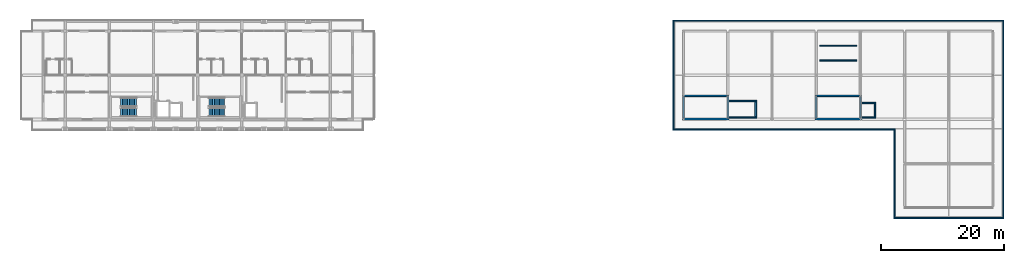
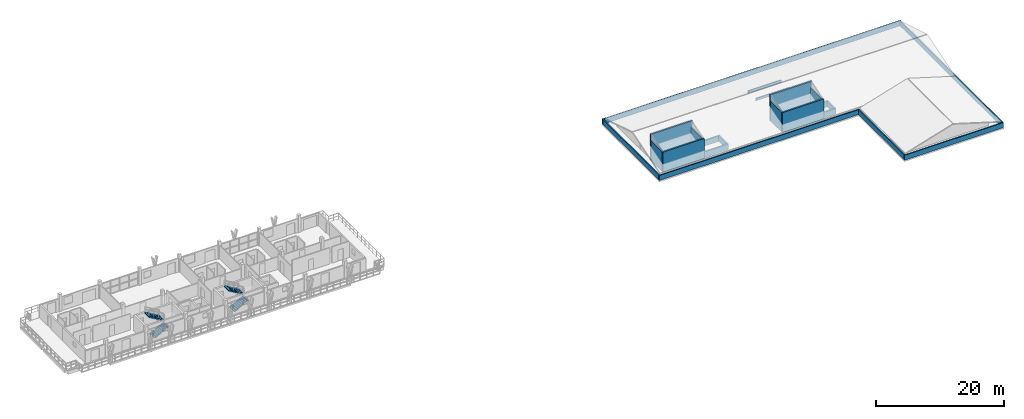
# One storey, part 16 of 19: 22 walls, 4 stair flights, 2 elements without a shape of their own.
"""IFC4 building model written with IfcOpenShell, lengths in metres."""

from ifc_helpers import new_model, si_unit, direction, frame, frame_2d, origin, place, context, subcontext, project, spatial, polyline, rectangle, outline, extrude, material, layer, layer_set, type_object, element, aggregate, save


model = new_model("IFC4")

# Units and contexts
model_context = context("Model", 3, precision=1e-05, world=origin(), true_north=direction((0.0, 1.0)))
body_context = subcontext(model_context, "Body", "Model", "MODEL_VIEW")
ifc_project = project(units=[si_unit("LENGTHUNIT", "METRE"), si_unit("AREAUNIT", "SQUARE_METRE"), si_unit("VOLUMEUNIT", "CUBIC_METRE"), si_unit("PLANEANGLEUNIT", "RADIAN"), si_unit("MASSUNIT", "GRAM", prefix="KILO")], contexts=[model_context])

# Site, building, storey
site_placement = place(None, origin())
site = spatial("IfcSite", under=ifc_project, at=site_placement, CompositionType="ELEMENT")
building_placement = place(site_placement, origin())
building = spatial("IfcBuilding", under=site, at=building_placement, Name="Suanplinth Sawtooth Commons", CompositionType="ELEMENT")
storey_placement = place(building_placement, frame((0.0, 0.0, 44.39990234375)))
storey = spatial("IfcBuildingStorey", under=building, at=storey_placement, Name="L13", CompositionType="ELEMENT", Elevation=44.39990234375)

# Walls
ifc_material_1 = material(Name="Precast concrete C40/50", Category="concrete")
ifc_layer_1 = layer(ifc_material_1, 0.199951171875, Name="Roof perimeter precast parapet wall 200mm")
ifc_layer_set_1 = layer_set([ifc_layer_1], Name="Precast concrete C40/50")
wall_type_1 = type_object("IfcWallType", Name="W-PR01", PredefinedType="PARAPET", material=ifc_layer_set_1)
wall_1_placement = place(storey_placement, frame((171.239990234375, 106.340087890625, 0.0), z_axis=(0.0, 0.0, 1.0), x_axis=(-1.0, 0.0, 0.0)))
element("IfcWall", 1, at=wall_1_placement, inside=storey, type_object=wall_type_1, Name="L13 Block B Overhanging Roof Edge Parapet 1", PredefinedType="PARAPET", context=body_context, shape_type="SweptSolid", body=[
    extrude(rectangle(XDim=36.199951171875, YDim=0.199951171875, at=frame_2d((18.10009765625, 0.0))), origin(), (0.0, 0.0, 1.0), 0.9501953125),
])
wall_2_placement = place(storey_placement, frame((135.139892578125, 106.43994140625, 0.0), z_axis=(0.0, 0.0, 1.0), x_axis=(0.0, 1.0, 0.0)))
element("IfcWall", 2, at=wall_2_placement, inside=storey, type_object=wall_type_1, Name="L13 Block B Overhanging Roof Edge Parapet 2", PredefinedType="PARAPET", context=body_context, shape_type="SweptSolid", body=[
    extrude(rectangle(XDim=17.52001953125, YDim=0.199951171875, at=frame_2d((8.760009765625, 0.0))), origin(), (0.0, 0.0, 1.0), 0.9501953125),
])
wall_3_placement = place(storey_placement, frame((135.0400390625, 124.06005859375, 0.0), z_axis=(0.0, 0.0, 1.0), x_axis=(1.0, 0.0, 0.0)))
element("IfcWall", 3, at=wall_3_placement, inside=storey, type_object=wall_type_1, Name="L13 Block B Overhanging Roof Edge Parapet 3", PredefinedType="PARAPET", context=body_context, shape_type="SweptSolid", body=[
    extrude(rectangle(XDim=53.919921875, YDim=0.199951171875, at=frame_2d((26.9599609375, 0.0))), origin(), (0.0, 0.0, 1.0), 0.9501953125),
])
wall_4_placement = place(storey_placement, frame((188.860107421875, 123.9599609375, 0.0), z_axis=(0.0, 0.0, 1.0), x_axis=(0.0, -1.0, 0.0)))
element("IfcWall", 4, at=wall_4_placement, inside=storey, type_object=wall_type_1, Name="L13 Block B Overhanging Roof Edge Parapet 4", PredefinedType="PARAPET", context=body_context, shape_type="SweptSolid", body=[
    extrude(rectangle(XDim=31.919921875, YDim=0.199951171875, at=frame_2d((15.9599609375, 0.0))), origin(), (0.0, 0.0, 1.0), 0.9501953125),
])
wall_5_placement = place(storey_placement, frame((188.9599609375, 91.93994140625, 0.0), z_axis=(0.0, 0.0, 1.0), x_axis=(-1.0, 0.0, 0.0)))
element("IfcWall", 5, at=wall_5_placement, inside=storey, type_object=wall_type_1, Name="L13 Block B Overhanging Roof Edge Parapet 5", PredefinedType="PARAPET", context=body_context, shape_type="SweptSolid", body=[
    extrude(rectangle(XDim=17.919921875, YDim=0.199951171875, at=frame_2d((8.9599609375, 0.0))), origin(), (0.0, 0.0, 1.0), 0.9501953125),
])
wall_6_placement = place(storey_placement, frame((171.139892578125, 92.0400390625, 0.0), z_axis=(0.0, 0.0, 1.0), x_axis=(0.0, 1.0, 0.0)))
element("IfcWall", 6, at=wall_6_placement, inside=storey, type_object=wall_type_1, Name="L13 Block B Overhanging Roof Edge Parapet 6", PredefinedType="PARAPET", context=body_context, shape_type="SweptSolid", body=[
    extrude(rectangle(XDim=14.199951171875, YDim=0.199951171875, at=frame_2d((7.10009765625, 0.0))), origin(), (0.0, 0.0, 1.0), 0.9501953125),
])
for number, where, z_axis, x_axis, name in (
    (7, (159.0, 117.60009765625, 0.0), (0.0, 0.0, 1.0), (1.0, 0.0, 0.0), "L13 Block B Roof Solar Upstand Kerb 1"),
    (8, (159.0, 120.0, 0.0), (0.0, 0.0, 1.0), (1.0, 0.0, 0.0), "L13 Block B Roof Solar Upstand Kerb 2"),
):
    element("IfcWall", number, at=place(storey_placement, frame(where, z_axis=z_axis, x_axis=x_axis)), inside=storey, type_object=wall_type_1, Name=name, PredefinedType="PARAPET", context=body_context, shape_type="SweptSolid", body=[
        extrude(rectangle(XDim=6.0, YDim=0.199951171875, at=frame_2d((3.0, 0.0))), origin(), (0.0, 0.0, 1.0), 0.4501953125),
    ])
ifc_layer_2 = layer(ifc_material_1, 0.27001953125, Name="Exterior lift-overrun structural shear wall 270mm")
ifc_layer_set_2 = layer_set([ifc_layer_2], Name="Precast concrete C40/50")
wall_type_2 = type_object("IfcWallType", Name="W-SH02", PredefinedType="SHEAR", material=ifc_layer_set_2)
wall_7_placement = place(storey_placement, frame((136.635009765625, 108.070068359375, 0.0), z_axis=(0.0, 0.0, 1.0), x_axis=(1.0, 0.0, 0.0)))
element("IfcWall", 9, at=wall_7_placement, inside=storey, type_object=wall_type_2, Name="Stair ST-E1 Headhouse Wall S", PredefinedType="SHEAR", context=body_context, shape_type="SweptSolid", body=[
    extrude(rectangle(XDim=7.530029296875, YDim=0.27001953125, at=frame_2d((3.76513671875, 0.0))), origin(), (0.0, 0.0, 1.0), 3.820068359375),
])
wall_8_placement = place(storey_placement, frame((136.635009765625, 111.830078125, 0.0), z_axis=(0.0, 0.0, 1.0), x_axis=(1.0, 0.0, 0.0)))
element("IfcWall", 10, at=wall_8_placement, inside=storey, type_object=wall_type_2, Name="Stair ST-E1 Headhouse Wall N", PredefinedType="SHEAR", context=body_context, shape_type="SweptSolid", body=[
    extrude(rectangle(XDim=7.530029296875, YDim=0.27001953125, at=frame_2d((3.76513671875, 0.0))), origin(), (0.0, 0.0, 1.0), 4.920166015625),
])
for number, where, z_axis, x_axis, name in (
    (11, (136.77001953125, 108.205078125, 0.0), (0.0, 0.0, 1.0), (0.0, 1.0, 0.0), "Stair ST-E1 Headhouse Wall W"),
    (12, (144.030029296875, 108.205078125, 0.0), (0.0, 0.0, 1.0), (0.0, 1.0, 0.0), "Stair ST-E1 Headhouse Wall E"),
):
    element("IfcWall", number, at=place(storey_placement, frame(where, z_axis=z_axis, x_axis=x_axis)), inside=storey, type_object=wall_type_2, Name=name, PredefinedType="SHEAR", context=body_context, shape_type="SweptSolid", body=[
        extrude(rectangle(XDim=3.489990234375, YDim=0.27001953125, at=frame_2d((1.7451171875, 0.0))), origin(), (0.0, 0.0, 1.0), 3.820068359375),
    ])
wall_9_placement = place(storey_placement, frame((158.235107421875, 108.070068359375, 0.0), z_axis=(0.0, 0.0, 1.0), x_axis=(1.0, 0.0, 0.0)))
element("IfcWall", 13, at=wall_9_placement, inside=storey, type_object=wall_type_2, Name="Stair ST-E2 Headhouse Wall S", PredefinedType="SHEAR", context=body_context, shape_type="SweptSolid", body=[
    extrude(rectangle(XDim=7.52978515625, YDim=0.27001953125, at=frame_2d((3.764892578125, 0.0))), origin(), (0.0, 0.0, 1.0), 3.820068359375),
])
wall_10_placement = place(storey_placement, frame((158.235107421875, 111.830078125, 0.0), z_axis=(0.0, 0.0, 1.0), x_axis=(1.0, 0.0, 0.0)))
element("IfcWall", 14, at=wall_10_placement, inside=storey, type_object=wall_type_2, Name="Stair ST-E2 Headhouse Wall N", PredefinedType="SHEAR", context=body_context, shape_type="SweptSolid", body=[
    extrude(rectangle(XDim=7.52978515625, YDim=0.27001953125, at=frame_2d((3.764892578125, 0.0))), origin(), (0.0, 0.0, 1.0), 4.920166015625),
])
for number, where, z_axis, x_axis, name in (
    (15, (158.3701171875, 108.205078125, 0.0), (0.0, 0.0, 1.0), (0.0, 1.0, 0.0), "Stair ST-E2 Headhouse Wall W"),
    (16, (165.6298828125, 108.205078125, 0.0), (0.0, 0.0, 1.0), (0.0, 1.0, 0.0), "Stair ST-E2 Headhouse Wall E"),
):
    element("IfcWall", number, at=place(storey_placement, frame(where, z_axis=z_axis, x_axis=x_axis)), inside=storey, type_object=wall_type_2, Name=name, PredefinedType="SHEAR", context=body_context, shape_type="SweptSolid", body=[
        extrude(rectangle(XDim=3.489990234375, YDim=0.27001953125, at=frame_2d((1.7451171875, 0.0))), origin(), (0.0, 0.0, 1.0), 3.820068359375),
    ])
for number, where, z_axis, x_axis, name in (
    (17, (144.1650390625, 108.31494140625, 0.0), (0.0, 0.0, 1.0), (1.0, 0.0, 0.0), "Lift Overrun Wall FL2-LF3 S"),
    (18, (144.1650390625, 110.985107421875, 0.0), (0.0, 0.0, 1.0), (1.0, 0.0, 0.0), "Lift Overrun Wall FL2-LF3 N"),
):
    element("IfcWall", number, at=place(storey_placement, frame(where, z_axis=z_axis, x_axis=x_axis)), inside=storey, type_object=wall_type_2, Name=name, PredefinedType="SHEAR", context=body_context, shape_type="SweptSolid", body=[
        extrude(rectangle(XDim=4.5048828125, YDim=0.27001953125, at=frame_2d((2.25244140625, 0.0))), origin(), (0.0, 0.0, 1.0), 1.050048828125),
    ])
wall_11_placement = place(storey_placement, frame((148.534912109375, 108.449951171875, 0.0), z_axis=(0.0, 0.0, 1.0), x_axis=(0.0, 1.0, 0.0)))
element("IfcWall", 19, at=wall_11_placement, inside=storey, type_object=wall_type_2, Name="Lift Overrun Wall FL2-LF3 E", PredefinedType="SHEAR", context=body_context, shape_type="SweptSolid", body=[
    extrude(rectangle(XDim=2.400146484375, YDim=0.27001953125, at=frame_2d((1.2001953125, 0.0))), origin(), (0.0, 0.0, 1.0), 1.050048828125),
])
for number, where, z_axis, x_axis, name in (
    (20, (165.764892578125, 108.31494140625, 0.0), (0.0, 0.0, 1.0), (1.0, 0.0, 0.0), "Lift Overrun Wall LF4 S"),
    (21, (165.764892578125, 110.68505859375, 0.0), (0.0, 0.0, 1.0), (1.0, 0.0, 0.0), "Lift Overrun Wall LF4 N"),
):
    element("IfcWall", number, at=place(storey_placement, frame(where, z_axis=z_axis, x_axis=x_axis)), inside=storey, type_object=wall_type_2, Name=name, PredefinedType="SHEAR", context=body_context, shape_type="SweptSolid", body=[
        extrude(rectangle(XDim=2.355224609375, YDim=0.27001953125, at=frame_2d((1.177734375, 0.0))), origin(), (0.0, 0.0, 1.0), 1.050048828125),
    ])
wall_12_placement = place(storey_placement, frame((167.985107421875, 108.449951171875, 0.0), z_axis=(0.0, 0.0, 1.0), x_axis=(0.0, 1.0, 0.0)))
element("IfcWall", 22, at=wall_12_placement, inside=storey, type_object=wall_type_2, Name="Lift Overrun Wall LF4 E", PredefinedType="SHEAR", context=body_context, shape_type="SweptSolid", body=[
    extrude(rectangle(XDim=2.10009765625, YDim=0.27001953125, at=frame_2d((1.050048828125, 0.0))), origin(), (0.0, 0.0, 1.0), 1.050048828125),
])

# Stair, stair flights
ifc_material_2 = material(Name="Concrete C40/50", Category="concrete")
stair_type = type_object("IfcStairType", Name="ST-04", PredefinedType="USERDEFINED", material=ifc_material_2)
stair_1_placement = place(storey_placement, origin())
stair_1 = element("IfcStair", 23, at=stair_1_placement, inside=storey, type_object=stair_type, Name="L13 Exit Stair ST-N1", ObjectType="TWO_RETURN_STAIR", PredefinedType="USERDEFINED")
stair_flight_type = type_object("IfcStairFlightType", Name="SF-04", PredefinedType="STRAIGHT", material=ifc_material_2)
stair_flight_1_placement = place(storey_placement, frame((45.050048828125, 109.175048828125, 0.0), z_axis=(0.0, 0.0, 1.0), x_axis=(1.0, 0.0, 0.0)))
stair_flight_1 = element("IfcStairFlight", 24, at=stair_flight_1_placement, type_object=stair_flight_type, Name="ST-04 flight 1", NumberOfRisers=10, NumberOfTreads=9, PredefinedType="STRAIGHT", RiserHeight=0.165, TreadLength=0.285, context=body_context, shape_type="SweptSolid", body=[
    extrude(outline(polyline([(0.0, 0.0), (0.0, 0.1650390625), (0.284912109375, 0.1650390625), (0.284912109375, 0.330078125), (0.570068359375, 0.330078125), (0.570068359375, 0.4951171875), (0.85498046875, 0.4951171875), (0.85498046875, 0.659912109375), (1.139892578125, 0.659912109375), (1.139892578125, 0.824951171875), (1.425048828125, 0.824951171875), (1.425048828125, 0.989990234375), (1.7099609375, 0.989990234375), (1.7099609375, 1.155029296875), (1.9951171875, 1.155029296875), (1.9951171875, 1.320068359375), (2.280029296875, 1.320068359375), (2.280029296875, 1.485107421875), (2.56494140625, 1.485107421875), (2.56494140625, 1.64990234375), (2.56494140625, 1.30029296875), (0.319091796875, 0.0), (0.0, 0.0)])), frame((0.0, 0.72509765625, 0.0), z_axis=(0.0, -1.0, 0.0), x_axis=(1.0, 0.0, 0.0)), (0.0, 0.0, 1.0), 1.449951171875),
])
stair_flight_2_placement = place(storey_placement, frame((47.614990234375, 110.824951171875, 1.650146484375), z_axis=(0.0, 0.0, 1.0), x_axis=(-1.0, 0.0, 0.0)))
stair_flight_2 = element("IfcStairFlight", 25, at=stair_flight_2_placement, type_object=stair_flight_type, Name="ST-04 flight 2", NumberOfRisers=10, NumberOfTreads=9, PredefinedType="STRAIGHT", RiserHeight=0.165, TreadLength=0.285, context=body_context, shape_type="SweptSolid", body=[
    extrude(outline(polyline([(0.0, 0.0), (0.0, 0.1650390625), (0.284912109375, 0.1650390625), (0.284912109375, 0.330078125), (0.570068359375, 0.330078125), (0.570068359375, 0.4951171875), (0.85498046875, 0.4951171875), (0.85498046875, 0.659912109375), (1.139892578125, 0.659912109375), (1.139892578125, 0.824951171875), (1.425048828125, 0.824951171875), (1.425048828125, 0.989990234375), (1.7099609375, 0.989990234375), (1.7099609375, 1.155029296875), (1.9951171875, 1.155029296875), (1.9951171875, 1.320068359375), (2.280029296875, 1.320068359375), (2.280029296875, 1.485107421875), (2.56494140625, 1.485107421875), (2.56494140625, 1.64990234375), (2.56494140625, 1.30029296875), (0.319091796875, 0.0), (0.0, 0.0)])), frame((0.0, 0.72509765625, 0.0), z_axis=(0.0, -1.0, 0.0), x_axis=(1.0, 0.0, 0.0)), (0.0, 0.0, 1.0), 1.449951171875),
])
aggregate(stair_1, [stair_flight_1, stair_flight_2])

stair_2_placement = place(storey_placement, origin())
stair_2 = element("IfcStair", 26, at=stair_2_placement, inside=storey, type_object=stair_type, Name="L13 Exit Stair ST-N2", ObjectType="TWO_RETURN_STAIR", PredefinedType="USERDEFINED")
stair_flight_3_placement = place(storey_placement, frame((59.449951171875, 109.175048828125, 0.0), z_axis=(0.0, 0.0, 1.0), x_axis=(1.0, 0.0, 0.0)))
stair_flight_3 = element("IfcStairFlight", 27, at=stair_flight_3_placement, type_object=stair_flight_type, Name="ST-04 flight 1", NumberOfRisers=10, NumberOfTreads=9, PredefinedType="STRAIGHT", RiserHeight=0.165, TreadLength=0.285, context=body_context, shape_type="SweptSolid", body=[
    extrude(outline(polyline([(0.0, 0.0), (0.0, 0.1650390625), (0.284912109375, 0.1650390625), (0.284912109375, 0.330078125), (0.570068359375, 0.330078125), (0.570068359375, 0.4951171875), (0.85498046875, 0.4951171875), (0.85498046875, 0.659912109375), (1.139892578125, 0.659912109375), (1.139892578125, 0.824951171875), (1.425048828125, 0.824951171875), (1.425048828125, 0.989990234375), (1.7099609375, 0.989990234375), (1.7099609375, 1.155029296875), (1.9951171875, 1.155029296875), (1.9951171875, 1.320068359375), (2.280029296875, 1.320068359375), (2.280029296875, 1.485107421875), (2.56494140625, 1.485107421875), (2.56494140625, 1.64990234375), (2.56494140625, 1.30029296875), (0.319091796875, 0.0), (0.0, 0.0)])), frame((0.0, 0.72509765625, 0.0), z_axis=(0.0, -1.0, 0.0), x_axis=(1.0, 0.0, 0.0)), (0.0, 0.0, 1.0), 1.449951171875),
])
stair_flight_4_placement = place(storey_placement, frame((62.014892578125, 110.824951171875, 1.650146484375), z_axis=(0.0, 0.0, 1.0), x_axis=(-1.0, 0.0, 0.0)))
stair_flight_4 = element("IfcStairFlight", 28, at=stair_flight_4_placement, type_object=stair_flight_type, Name="ST-04 flight 2", NumberOfRisers=10, NumberOfTreads=9, PredefinedType="STRAIGHT", RiserHeight=0.165, TreadLength=0.285, context=body_context, shape_type="SweptSolid", body=[
    extrude(outline(polyline([(0.0, 0.0), (0.0, 0.1650390625), (0.284912109375, 0.1650390625), (0.284912109375, 0.330078125), (0.570068359375, 0.330078125), (0.570068359375, 0.4951171875), (0.85498046875, 0.4951171875), (0.85498046875, 0.659912109375), (1.139892578125, 0.659912109375), (1.139892578125, 0.824951171875), (1.425048828125, 0.824951171875), (1.425048828125, 0.989990234375), (1.7099609375, 0.989990234375), (1.7099609375, 1.155029296875), (1.9951171875, 1.155029296875), (1.9951171875, 1.320068359375), (2.280029296875, 1.320068359375), (2.280029296875, 1.485107421875), (2.56494140625, 1.485107421875), (2.56494140625, 1.64990234375), (2.56494140625, 1.30029296875), (0.319091796875, 0.0), (0.0, 0.0)])), frame((0.0, 0.72509765625, 0.0), z_axis=(0.0, -1.0, 0.0), x_axis=(1.0, 0.0, 0.0)), (0.0, 0.0, 1.0), 1.449951171875),
])
aggregate(stair_2, [stair_flight_3, stair_flight_4])

save(model, "model.ifc")
